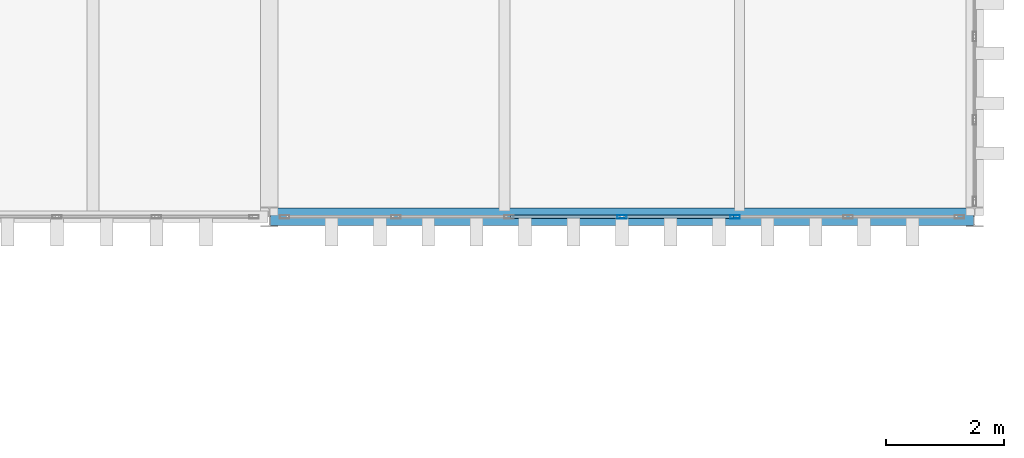
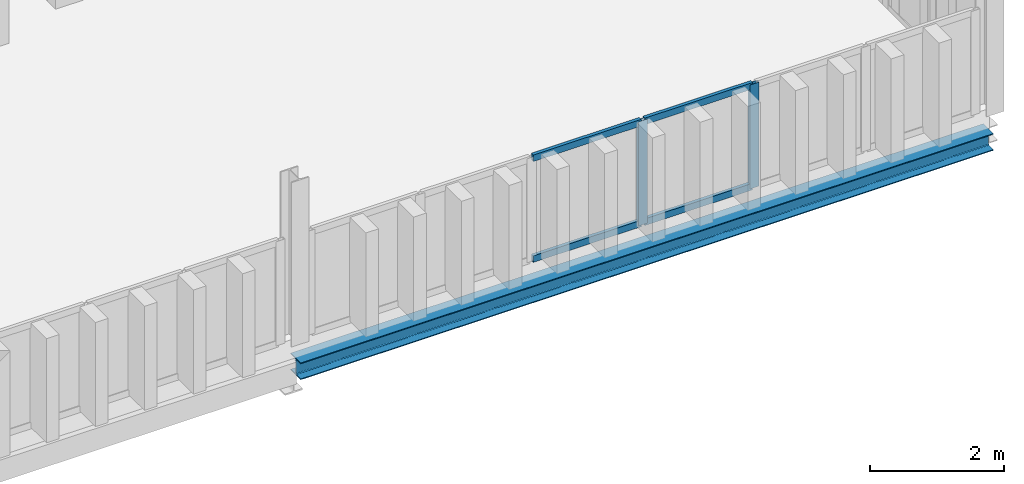
# One storey, part 11 of 58: 6 members, 1 beam, 1 element without a shape of its own.
"""IFC4 building model written with IfcOpenShell, lengths in metres."""

from ifc_helpers import new_model, si_unit, direction, frame, origin, origin_2d, place, context, subcontext, project, spatial, hollow_rectangle, i_section, extrude, material, layer, layer_set, material_profile, profile_set, type_object, element, aggregate, save


model = new_model("IFC4")

# Units and contexts
model_context = context("Model", 3, precision=1e-05, world=origin(), true_north=direction((0.0, 1.0)))
body_context = subcontext(model_context, "Body", "Model", "MODEL_VIEW")
ifc_project = project(units=[si_unit("LENGTHUNIT", "METRE"), si_unit("AREAUNIT", "SQUARE_METRE"), si_unit("VOLUMEUNIT", "CUBIC_METRE"), si_unit("PLANEANGLEUNIT", "RADIAN"), si_unit("MASSUNIT", "GRAM", prefix="KILO")], contexts=[model_context])

# Site, building, storey
site_placement = place(None, origin())
site = spatial("IfcSite", under=ifc_project, at=site_placement, CompositionType="ELEMENT")
building_placement = place(site_placement, origin())
building = spatial("IfcBuilding", under=site, at=building_placement, Name="Barlavento Convention Centre", CompositionType="ELEMENT")
storey_placement = place(building_placement, frame((0.0, 0.0, 26.800048828125)))
storey = spatial("IfcBuildingStorey", under=building, at=storey_placement, Name="L05", CompositionType="ELEMENT", Elevation=26.800048828125)

# Curtain wall, members
ifc_material_1 = material(Name="Powder-coated aluminium and Low-E glass", Category="aluminium")
ifc_layer = layer(ifc_material_1, 0.18994140625)
ifc_layer_set = layer_set([ifc_layer], Name="ARC-CW-CONF-L05")
curtain_wall_type = type_object("IfcCurtainWallType", Name="ARC-CW-CONF-L05", PredefinedType="NOTDEFINED", material=ifc_layer_set)
curtain_wall_placement = place(storey_placement, origin())
curtain_wall = element("IfcCurtainWall", 1, at=curtain_wall_placement, inside=storey, type_object=curtain_wall_type, Name="L05 unitised curtain wall CW10", PredefinedType="NOTDEFINED")
ifc_material_2 = material(Name="Powder-coated aluminium", Category="aluminium")
ifc_material_profile_1 = material_profile(ifc_material_2, hollow_rectangle(XDim=0.06005859375, YDim=0.159912109375, WallThickness=0.00390625, at=origin_2d()), Name="AL-MULL 60x160x4")
ifc_profile_set_1 = profile_set([ifc_material_profile_1], Name="Powder-coated aluminium")
member_type_1 = type_object("IfcMemberType", Name="ARC-CWM-60X160", PredefinedType="MULLION", material=ifc_profile_set_1)
member_1_placement = place(storey_placement, frame((186.0, 27.0, 0.0), z_axis=(0.0, 0.0, 1.0), x_axis=(0.0, 1.0, 0.0)))
member_1 = element("IfcMember", 2, at=member_1_placement, type_object=member_type_1, Name="CW10 mullion 4", PredefinedType="MULLION", context=body_context, shape_type="SweptSolid", body=[
    extrude(hollow_rectangle(XDim=0.06005859375, YDim=0.159912109375, WallThickness=0.00390625, at=origin_2d()), origin(), (0.0, 0.0, 1.0), 1.89990234375),
])
member_2_placement = place(storey_placement, frame((187.92333984375, 27.0, 0.0), z_axis=(0.0, 0.0, 1.0), x_axis=(0.0, 1.0, 0.0)))
member_2 = element("IfcMember", 3, at=member_2_placement, type_object=member_type_1, Name="CW10 mullion 5", PredefinedType="MULLION", context=body_context, shape_type="SweptSolid", body=[
    extrude(hollow_rectangle(XDim=0.06005859375, YDim=0.159912109375, WallThickness=0.00390625, at=origin_2d()), origin(), (0.0, 0.0, 1.0), 1.89990234375),
])
ifc_material_profile_2 = material_profile(ifc_material_2, hollow_rectangle(XDim=0.06005859375, YDim=0.1201171875, WallThickness=0.00390625, at=origin_2d()), Name="AL-TRAN 60x120x4")
ifc_profile_set_2 = profile_set([ifc_material_profile_2], Name="Powder-coated aluminium")
member_type_2 = type_object("IfcMemberType", Name="ARC-CWT-60X120", PredefinedType="USERDEFINED", material=ifc_profile_set_2)
member_3_placement = place(storey_placement, frame((184.106689453125, 27.0, 0.030029296875), z_axis=(1.0, 0.0, 0.0), x_axis=(0.0, 1.0, 0.0)))
member_3 = element("IfcMember", 4, at=member_3_placement, type_object=member_type_2, Name="CW10 transom 3.1", ObjectType="TRANSOM", PredefinedType="USERDEFINED", context=body_context, shape_type="SweptSolid", body=[
    extrude(hollow_rectangle(XDim=0.06005859375, YDim=0.1201171875, WallThickness=0.00390625, at=origin_2d()), origin(), (0.0, 0.0, 1.0), 1.86328125),
])
member_4_placement = place(storey_placement, frame((184.106689453125, 27.0, 1.869873046875), z_axis=(1.0, 0.0, 0.0), x_axis=(0.0, 1.0, 0.0)))
member_4 = element("IfcMember", 5, at=member_4_placement, type_object=member_type_2, Name="CW10 transom 3.2", ObjectType="TRANSOM", PredefinedType="USERDEFINED", context=body_context, shape_type="SweptSolid", body=[
    extrude(hollow_rectangle(XDim=0.06005859375, YDim=0.1201171875, WallThickness=0.00390625, at=origin_2d()), origin(), (0.0, 0.0, 1.0), 1.86328125),
])
member_5_placement = place(storey_placement, frame((186.030029296875, 27.0, 0.030029296875), z_axis=(1.0, 0.0, 0.0), x_axis=(0.0, 1.0, 0.0)))
member_5 = element("IfcMember", 6, at=member_5_placement, type_object=member_type_2, Name="CW10 transom 4.1", ObjectType="TRANSOM", PredefinedType="USERDEFINED", context=body_context, shape_type="SweptSolid", body=[
    extrude(hollow_rectangle(XDim=0.06005859375, YDim=0.1201171875, WallThickness=0.00390625, at=origin_2d()), origin(), (0.0, 0.0, 1.0), 1.86328125),
])
member_6_placement = place(storey_placement, frame((186.030029296875, 27.0, 1.869873046875), z_axis=(1.0, 0.0, 0.0), x_axis=(0.0, 1.0, 0.0)))
member_6 = element("IfcMember", 7, at=member_6_placement, type_object=member_type_2, Name="CW10 transom 4.2", ObjectType="TRANSOM", PredefinedType="USERDEFINED", context=body_context, shape_type="SweptSolid", body=[
    extrude(hollow_rectangle(XDim=0.06005859375, YDim=0.1201171875, WallThickness=0.00390625, at=origin_2d()), origin(), (0.0, 0.0, 1.0), 1.86328125),
])
aggregate(curtain_wall, [member_1, member_2, member_3, member_4, member_5, member_6])

# Beam
ifc_material_3 = material(Name="Steel S355", Category="steel")
ifc_material_profile_3 = material_profile(ifc_material_3, i_section(OverallWidth=0.300048828125, OverallDepth=0.31005859375, WebThickness=0.009033203125, FlangeThickness=0.015380859375, FilletRadius=0.027099609375, at=origin_2d()), Name="HEA 320")
ifc_profile_set_3 = profile_set([ifc_material_profile_3], Name="Steel S355")
beam_type = type_object("IfcBeamType", Name="STR-BM-SPN-HEA320", PredefinedType="SPANDREL", material=ifc_profile_set_3)
beam_placement = place(storey_placement, frame((180.02001953125, 27.0, -0.51513671875), z_axis=(1.0, 0.0, 0.0), x_axis=(0.0, 1.0, 0.0)))
element("IfcBeam", 8, at=beam_placement, inside=storey, type_object=beam_type, Name="L05 primary girder SP01", PredefinedType="SPANDREL", context=body_context, shape_type="SweptSolid", body=[
    extrude(i_section(OverallWidth=0.300048828125, OverallDepth=0.31005859375, WebThickness=0.009033203125, FlangeThickness=0.015380859375, FilletRadius=0.027099609375, at=origin_2d()), origin(), (0.0, 0.0, 1.0), 11.9599609375),
])

save(model, "model.ifc")
